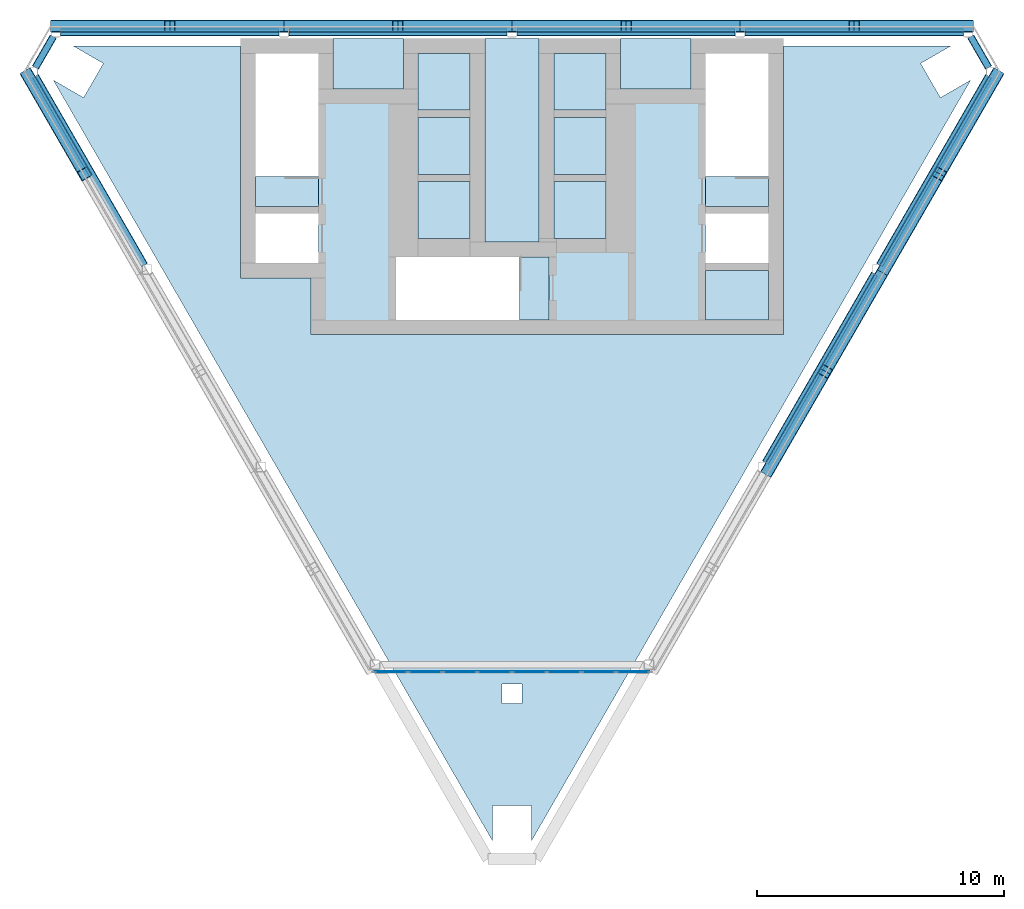
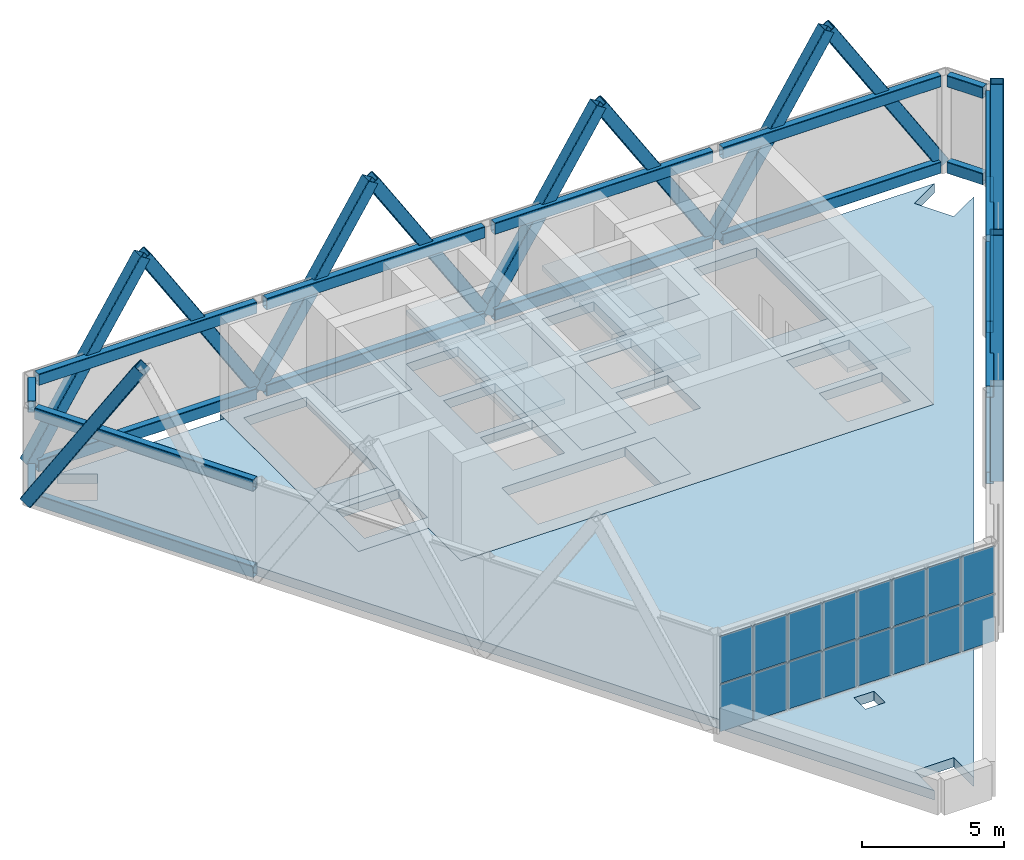
# One storey, part 3 of 5: 18 beams, 16 plates, 15 slabs, 13 members, 1 element without a shape of its own.
"""IFC4 building model written with IfcOpenShell, lengths in metres."""

from ifc_helpers import new_model, si_unit, direction, frame, origin, origin_2d, place, context, subcontext, project, spatial, polyline, rectangle, hollow_rectangle, outline, extrude, material, layer, layer_set, material_profile, profile_set, type_object, element, aggregate, save


model = new_model("IFC4")

# Units and contexts
model_context = context("Model", 3, precision=1e-05, world=origin(), true_north=direction((0.0, 1.0)))
body_context = subcontext(model_context, "Body", "Model", "MODEL_VIEW")
ifc_project = project(units=[si_unit("LENGTHUNIT", "METRE"), si_unit("AREAUNIT", "SQUARE_METRE"), si_unit("VOLUMEUNIT", "CUBIC_METRE"), si_unit("PLANEANGLEUNIT", "RADIAN"), si_unit("MASSUNIT", "GRAM", prefix="KILO")], contexts=[model_context])

# Site, building, storey
site_placement = place(None, origin())
site = spatial("IfcSite", under=ifc_project, at=site_placement, CompositionType="ELEMENT")
building_placement = place(site_placement, origin())
building = spatial("IfcBuilding", under=site, at=building_placement, Name="Aloe Facet Convention Tower", CompositionType="ELEMENT")
storey_placement = place(building_placement, frame((0.0, 0.0, 285.5)))
storey = spatial("IfcBuildingStorey", under=building, at=storey_placement, Name="C1", CompositionType="ELEMENT", Elevation=285.5)

# Members
ifc_material_1 = material(Name="Steel S355, bronze oxide finish", Category="steel")
ifc_material_profile_1 = material_profile(ifc_material_1, hollow_rectangle(XDim=0.5, YDim=0.5, WallThickness=0.02490234375, InnerFilletRadius=0.02490234375, OuterFilletRadius=0.050048828125, at=origin_2d()), Name="SHS 500x500x25")
ifc_profile_set_1 = profile_set([ifc_material_profile_1], Name="Steel S355, bronze oxide finish")
member_type = type_object("IfcMemberType", Name="STW-CROWN FRAME BRACE", PredefinedType="BRACE", material=ifc_profile_set_1)
for number, where, z_axis, x_axis, name in (
    (1, (98.486083984375, 135.050048828125, 0.25), (-0.534904849876, 0.0, 0.844912304076), (0.0, -1.0, 0.0), "Crown frame brace CF-B-B01-N1"),
    (2, (89.2431640625, 135.050048828125, 0.25), (0.534884677408, 0.0, 0.84492507471), (0.0, 1.0, 0.0), "Crown frame brace CF-B-B01-N2"),
    (3, (89.2431640625, 135.050048828125, 0.25), (-0.534904849876, 0.0, 0.844912304076), (0.0, -1.0, 0.0), "Crown frame brace CF-B-B02-N1"),
    (4, (80.0, 135.050048828125, 0.25), (0.534904849876, 0.0, 0.844912304076), (0.0, 1.0, 0.0), "Crown frame brace CF-B-B02-N2"),
    (5, (80.0, 135.050048828125, 0.25), (-0.534904849876, 0.0, 0.844912304076), (0.0, -1.0, 0.0), "Crown frame brace CF-B-B03-N1"),
    (6, (70.7568359375, 135.050048828125, 0.25), (0.534904849876, 0.0, 0.844912304076), (0.0, 1.0, 0.0), "Crown frame brace CF-B-B03-N2"),
    (7, (70.7568359375, 135.050048828125, 0.25), (-0.534884677408, 0.0, 0.84492507471), (0.0, -1.0, 0.0), "Crown frame brace CF-B-B04-N1"),
    (8, (61.513916015625, 135.050048828125, 0.25), (0.534904849876, 0.0, 0.844912304076), (0.0, 1.0, 0.0), "Crown frame brace CF-B-B04-N2"),
):
    element("IfcMember", number, at=place(storey_placement, frame(where, z_axis=z_axis, x_axis=x_axis)), inside=storey, type_object=member_type, Name=name, PredefinedType="BRACE", context=body_context, shape_type="SweptSolid", body=[
        extrude(hollow_rectangle(XDim=0.5, YDim=0.5, WallThickness=0.02490234375, InnerFilletRadius=0.02490234375, OuterFilletRadius=0.050048828125, at=origin_2d()), origin(), (0.0, 0.0, 1.0), 8.639892578125),
    ])
for number, where, z_axis, x_axis, name in (
    (9, (60.37060546875, 133.06982421875, 0.25), (0.26745193794, -0.463244275815, 0.844910765594), (0.866027240882, 0.49999681804, 0.0), "Crown frame brace CF-B-B06-N1"),
    (10, (90.386474609375, 117.060302734375, 0.25), (0.26745193794, 0.463244275815, 0.844910765594), (-0.866027240882, 0.49999681804, 0.0), "Crown frame brace CF-B-B11-N1"),
):
    element("IfcMember", number, at=place(storey_placement, frame(where, z_axis=z_axis, x_axis=x_axis)), inside=storey, type_object=member_type, Name=name, PredefinedType="BRACE", context=body_context, shape_type="SweptSolid", body=[
        extrude(hollow_rectangle(XDim=0.5, YDim=0.5, WallThickness=0.02490234375, InnerFilletRadius=0.02490234375, OuterFilletRadius=0.050048828125, at=origin_2d()), origin(), (0.0, 0.0, 1.0), 8.64013671875),
    ])
member_placement = place(storey_placement, frame((95.0078125, 125.06494140625, 0.25), z_axis=(-0.267429202518, -0.463225582933, 0.844928210534), x_axis=(0.866036909293, -0.499980071345, 0.0)))
element("IfcMember", 11, at=member_placement, inside=storey, type_object=member_type, Name="Crown frame brace CF-B-B11-N2", PredefinedType="BRACE", context=body_context, shape_type="SweptSolid", body=[
    extrude(hollow_rectangle(XDim=0.5, YDim=0.5, WallThickness=0.02490234375, InnerFilletRadius=0.02490234375, OuterFilletRadius=0.050048828125, at=origin_2d()), origin(), (0.0, 0.0, 1.0), 8.639892578125),
])
for number, where, z_axis, x_axis, name in (
    (12, (95.0078125, 125.06494140625, 0.25), (0.26745193794, 0.463244275815, 0.844910765594), (-0.866027240882, 0.49999681804, 0.0), "Crown frame brace CF-B-B12-N1"),
    (13, (99.62939453125, 133.06982421875, 0.25), (-0.26745193794, -0.463244275815, 0.844910765594), (0.866027240882, -0.49999681804, 0.0), "Crown frame brace CF-B-B12-N2"),
):
    element("IfcMember", number, at=place(storey_placement, frame(where, z_axis=z_axis, x_axis=x_axis)), inside=storey, type_object=member_type, Name=name, PredefinedType="BRACE", context=body_context, shape_type="SweptSolid", body=[
        extrude(hollow_rectangle(XDim=0.5, YDim=0.5, WallThickness=0.02490234375, InnerFilletRadius=0.02490234375, OuterFilletRadius=0.050048828125, at=origin_2d()), origin(), (0.0, 0.0, 1.0), 8.64013671875),
    ])

# Beams
ifc_material_2 = material(Name="Steel S355, bronze oxide finish", Category="steel")
ifc_material_profile_2 = material_profile(ifc_material_2, hollow_rectangle(XDim=0.300048828125, YDim=0.5, WallThickness=0.02001953125, InnerFilletRadius=0.02001953125, OuterFilletRadius=0.0400390625, at=origin_2d()), Name="RHS 500x300x20")
ifc_profile_set_2 = profile_set([ifc_material_profile_2], Name="Steel S355, bronze oxide finish")
beam_type = type_object("IfcBeamType", Name="STW-CROWN FRAME RING", PredefinedType="BEAM", material=ifc_profile_set_2)
for number, where, z_axis, x_axis, name in (
    (14, (98.2861328125, 134.800048828125, 0.25), (-1.0, 0.0, 0.0), (0.0, -1.0, 0.0), "Crown frame ring CF-R-B01-C1"),
    (15, (98.2861328125, 134.800048828125, 3.949951171875), (-1.0, 0.0, 0.0), (0.0, -1.0, 0.0), "Crown frame ring CF-R-B01-C2"),
    (16, (89.04296875, 134.800048828125, 0.25), (-1.0, 0.0, 0.0), (0.0, -1.0, 0.0), "Crown frame ring CF-R-B02-C1"),
    (17, (89.04296875, 134.800048828125, 3.949951171875), (-1.0, 0.0, 0.0), (0.0, -1.0, 0.0), "Crown frame ring CF-R-B02-C2"),
    (18, (79.800048828125, 134.800048828125, 0.25), (-1.0, 0.0, 0.0), (0.0, -1.0, 0.0), "Crown frame ring CF-R-B03-C1"),
    (19, (79.800048828125, 134.800048828125, 3.949951171875), (-1.0, 0.0, 0.0), (0.0, -1.0, 0.0), "Crown frame ring CF-R-B03-C2"),
    (20, (70.556884765625, 134.800048828125, 0.25), (-1.0, 0.0, 0.0), (0.0, -1.0, 0.0), "Crown frame ring CF-R-B04-C1"),
    (21, (70.556884765625, 134.800048828125, 3.949951171875), (-1.0, 0.0, 0.0), (0.0, -1.0, 0.0), "Crown frame ring CF-R-B04-C2"),
):
    element("IfcBeam", number, at=place(storey_placement, frame(where, z_axis=z_axis, x_axis=x_axis)), inside=storey, type_object=beam_type, Name=name, PredefinedType="BEAM", context=body_context, shape_type="SweptSolid", body=[
        extrude(hollow_rectangle(XDim=0.300048828125, YDim=0.5, WallThickness=0.02001953125, InnerFilletRadius=0.02001953125, OuterFilletRadius=0.0400390625, at=origin_2d()), origin(), (0.0, 0.0, 1.0), 8.843017578125),
    ])
for number, where, z_axis, x_axis, name in (
    (22, (61.413818359375, 134.626708984375, 0.25), (-0.500022928159, -0.866012165801, 0.0), (0.866012165801, -0.500022928159, 0.0), "Crown frame ring CF-R-B05-C1"),
    (23, (61.413818359375, 134.626708984375, 3.949951171875), (-0.500022928159, -0.866012165801, 0.0), (0.866012165801, -0.500022928159, 0.0), "Crown frame ring CF-R-B05-C2"),
):
    element("IfcBeam", number, at=place(storey_placement, frame(where, z_axis=z_axis, x_axis=x_axis)), inside=storey, type_object=beam_type, Name=name, PredefinedType="BEAM", context=body_context, shape_type="SweptSolid", body=[
        extrude(hollow_rectangle(XDim=0.300048828125, YDim=0.5, WallThickness=0.02001953125, InnerFilletRadius=0.02001953125, OuterFilletRadius=0.0400390625, at=origin_2d()), origin(), (0.0, 0.0, 1.0), 1.45361328125),
    ])
for number, where, z_axis, x_axis, name in (
    (24, (60.68701171875, 133.021484375, 0.25), (0.500014013, -0.866017313224, 0.0), (0.866017313224, 0.500014013, 0.0), "Crown frame ring CF-R-B06-C1"),
    (25, (60.68701171875, 133.021484375, 3.949951171875), (0.500014013, -0.866017313224, 0.0), (0.866017313224, 0.500014013, 0.0), "Crown frame ring CF-R-B06-C2"),
):
    element("IfcBeam", number, at=place(storey_placement, frame(where, z_axis=z_axis, x_axis=x_axis)), inside=storey, type_object=beam_type, Name=name, PredefinedType="BEAM", context=body_context, shape_type="SweptSolid", body=[
        extrude(hollow_rectangle(XDim=0.300048828125, YDim=0.5, WallThickness=0.02001953125, InnerFilletRadius=0.02001953125, OuterFilletRadius=0.0400390625, at=origin_2d()), origin(), (0.0, 0.0, 1.0), 8.843017578125),
    ])
for number, where, z_axis, x_axis, name in (
    (26, (90.269775390625, 117.3583984375, 0.25), (0.500002058268, 0.866024215439, 0.0), (-0.866024215439, 0.500002058268, 0.0), "Crown frame ring CF-R-B11-C1"),
    (27, (90.269775390625, 117.3583984375, 3.949951171875), (0.500002058268, 0.866024215439, 0.0), (-0.866024215439, 0.500002058268, 0.0), "Crown frame ring CF-R-B11-C2"),
):
    element("IfcBeam", number, at=place(storey_placement, frame(where, z_axis=z_axis, x_axis=x_axis)), inside=storey, type_object=beam_type, Name=name, PredefinedType="BEAM", context=body_context, shape_type="SweptSolid", body=[
        extrude(hollow_rectangle(XDim=0.300048828125, YDim=0.5, WallThickness=0.02001953125, InnerFilletRadius=0.02001953125, OuterFilletRadius=0.0400390625, at=origin_2d()), origin(), (0.0, 0.0, 1.0), 8.84326171875),
    ])
for number, where, z_axis, x_axis, name in (
    (28, (94.891357421875, 125.36328125, 0.25), (0.500014013, 0.866017313224, 0.0), (-0.866017313224, 0.500014013, 0.0), "Crown frame ring CF-R-B12-C1"),
    (29, (94.891357421875, 125.36328125, 3.949951171875), (0.500014013, 0.866017313224, 0.0), (-0.866017313224, 0.500014013, 0.0), "Crown frame ring CF-R-B12-C2"),
):
    element("IfcBeam", number, at=place(storey_placement, frame(where, z_axis=z_axis, x_axis=x_axis)), inside=storey, type_object=beam_type, Name=name, PredefinedType="BEAM", context=body_context, shape_type="SweptSolid", body=[
        extrude(hollow_rectangle(XDim=0.300048828125, YDim=0.5, WallThickness=0.02001953125, InnerFilletRadius=0.02001953125, OuterFilletRadius=0.0400390625, at=origin_2d()), origin(), (0.0, 0.0, 1.0), 8.843017578125),
    ])
for number, where, z_axis, x_axis, name in (
    (30, (99.31298828125, 133.367919921875, 0.25), (-0.500022928159, 0.866012165801, 0.0), (-0.866012165801, -0.500022928159, 0.0), "Crown frame ring CF-R-B13-C1"),
    (31, (99.31298828125, 133.367919921875, 3.949951171875), (-0.500022928159, 0.866012165801, 0.0), (-0.866012165801, -0.500022928159, 0.0), "Crown frame ring CF-R-B13-C2"),
):
    element("IfcBeam", number, at=place(storey_placement, frame(where, z_axis=z_axis, x_axis=x_axis)), inside=storey, type_object=beam_type, Name=name, PredefinedType="BEAM", context=body_context, shape_type="SweptSolid", body=[
        extrude(hollow_rectangle(XDim=0.300048828125, YDim=0.5, WallThickness=0.02001953125, InnerFilletRadius=0.02001953125, OuterFilletRadius=0.0400390625, at=origin_2d()), origin(), (0.0, 0.0, 1.0), 1.45361328125),
    ])

# Slabs
ifc_material_3 = material(Name="Concrete C50/60", Category="concrete")
ifc_layer_1 = layer(ifc_material_3, 0.39990234375)
ifc_layer_set_1 = layer_set([ifc_layer_1], Name="CR-S-FLOOR400-C5060")
slab_type_1 = type_object("IfcSlabType", Name="CR-S-FLOOR400-C5060", PredefinedType="FLOOR", material=ifc_layer_set_1)
slab_1_placement = place(storey_placement, frame((0.0, 0.0, -0.39990234375)))
element("IfcSlab", 32, at=slab_1_placement, inside=storey, type_object=slab_type_1, Name="Stair landing floor C1", PredefinedType="FLOOR", context=body_context, shape_type="SweptSolid", body=[
    extrude(outline(polyline([(72.14990234375, 127.75), (72.14990234375, 128.951171875), (69.60009765625, 128.951171875), (69.60009765625, 127.75), (72.14990234375, 127.75)])), origin(), (0.0, 0.0, 1.0), 0.39990234375),
])
slab_2_placement = place(storey_placement, frame((0.0, 0.0, -0.39990234375)))
element("IfcSlab", 33, at=slab_2_placement, inside=storey, type_object=slab_type_1, Name="Stair landing floor C1", PredefinedType="FLOOR", context=body_context, shape_type="SweptSolid", body=[
    extrude(outline(polyline([(90.39990234375, 127.75), (90.39990234375, 128.951171875), (87.85009765625, 128.951171875), (87.85009765625, 127.75), (90.39990234375, 127.75)])), origin(), (0.0, 0.0, 1.0), 0.39990234375),
])
slab_3_placement = place(storey_placement, frame((0.0, 0.0, -0.39990234375)))
element("IfcSlab", 34, at=slab_3_placement, inside=storey, type_object=slab_type_1, Name="Stair landing floor C1", PredefinedType="FLOOR", context=body_context, shape_type="SweptSolid", body=[
    extrude(outline(polyline([(81.5, 125.699951171875), (80.298828125, 125.699951171875), (80.298828125, 123.14990234375), (81.5, 123.14990234375), (81.5, 125.699951171875)])), origin(), (0.0, 0.0, 1.0), 0.39990234375),
])
slab_4_placement = place(storey_placement, frame((0.0, 0.0, -0.39990234375)))
element("IfcSlab", 35, at=slab_4_placement, inside=storey, type_object=slab_type_1, Name="Core floor C1", PredefinedType="FLOOR", context=body_context, shape_type="SweptSolid", body=[
    extrude(outline(polyline([(87.25, 134.550048828125), (91.0, 134.550048828125), (91.0, 128.050048828125), (91.0, 127.14990234375), (91.0, 125.75), (91.0, 124.85009765625), (91.0, 122.550048828125), (88.14990234375, 122.550048828125), (87.25, 122.550048828125), (85.300048828125, 122.550048828125), (84.39990234375, 122.550048828125), (82.10009765625, 122.550048828125), (81.199951171875, 122.550048828125), (75.60009765625, 122.550048828125), (74.699951171875, 122.550048828125), (71.85009765625, 122.550048828125), (71.85009765625, 124.85009765625), (69.0, 124.85009765625), (69.0, 127.14990234375), (69.0, 128.050048828125), (69.0, 134.550048828125), (72.75, 134.550048828125), (72.75, 132.5), (75.60009765625, 132.5), (75.60009765625, 134.550048828125), (78.89990234375, 134.550048828125), (78.89990234375, 131.949951171875), (78.89990234375, 131.050048828125), (78.89990234375, 129.35009765625), (78.89990234375, 128.449951171875), (78.89990234375, 126.300048828125), (81.10009765625, 126.300048828125), (81.10009765625, 128.449951171875), (81.10009765625, 129.35009765625), (81.10009765625, 131.050048828125), (81.10009765625, 131.949951171875), (81.10009765625, 134.550048828125), (84.39990234375, 134.550048828125), (84.39990234375, 132.5), (87.25, 132.5), (87.25, 134.550048828125)]), holes=[polyline([(80.298828125, 123.14990234375), (81.5, 123.14990234375), (81.5, 125.699951171875), (80.298828125, 125.699951171875), (75.300048828125, 125.699951171875), (75.300048828125, 123.14990234375), (80.298828125, 123.14990234375)]), polyline([(69.60009765625, 125.449951171875), (72.14990234375, 125.449951171875), (72.14990234375, 127.449951171875), (69.60009765625, 127.449951171875), (69.60009765625, 125.449951171875)]), polyline([(76.199951171875, 126.449951171875), (78.300048828125, 126.449951171875), (78.300048828125, 128.75), (76.199951171875, 128.75), (76.199951171875, 126.449951171875)]), polyline([(78.300048828125, 129.050048828125), (78.300048828125, 131.35009765625), (76.199951171875, 131.35009765625), (76.199951171875, 129.050048828125), (78.300048828125, 129.050048828125)]), polyline([(69.60009765625, 133.949951171875), (69.60009765625, 128.951171875), (69.60009765625, 127.75), (72.14990234375, 127.75), (72.14990234375, 128.951171875), (72.14990234375, 133.949951171875), (69.60009765625, 133.949951171875)]), polyline([(76.199951171875, 131.64990234375), (78.300048828125, 131.64990234375), (78.300048828125, 133.949951171875), (76.199951171875, 133.949951171875), (76.199951171875, 131.64990234375)]), polyline([(90.39990234375, 123.14990234375), (90.39990234375, 125.14990234375), (87.85009765625, 125.14990234375), (87.85009765625, 123.14990234375), (90.39990234375, 123.14990234375)]), polyline([(87.85009765625, 125.449951171875), (90.39990234375, 125.449951171875), (90.39990234375, 127.449951171875), (87.85009765625, 127.449951171875), (87.85009765625, 125.449951171875)]), polyline([(81.699951171875, 126.449951171875), (83.800048828125, 126.449951171875), (83.800048828125, 128.75), (81.699951171875, 128.75), (81.699951171875, 126.449951171875)]), polyline([(83.800048828125, 129.050048828125), (83.800048828125, 131.35009765625), (81.699951171875, 131.35009765625), (81.699951171875, 129.050048828125), (83.800048828125, 129.050048828125)]), polyline([(87.85009765625, 133.949951171875), (87.85009765625, 128.951171875), (87.85009765625, 127.75), (90.39990234375, 127.75), (90.39990234375, 128.951171875), (90.39990234375, 133.949951171875), (87.85009765625, 133.949951171875)]), polyline([(81.699951171875, 131.64990234375), (83.800048828125, 131.64990234375), (83.800048828125, 133.949951171875), (81.699951171875, 133.949951171875), (81.699951171875, 131.64990234375)])]), origin(), (0.0, 0.0, 1.0), 0.39990234375),
])
ifc_material_4 = material(Name="Concrete C50/60", Category="concrete")
ifc_layer_2 = layer(ifc_material_4, 0.199951171875)
ifc_layer_set_2 = layer_set([ifc_layer_2], Name="CR-S-LID200-C5060")
slab_type_2 = type_object("IfcSlabType", Name="CR-S-LID200-C5060", PredefinedType="ROOF", material=ifc_layer_set_2)
slab_5_placement = place(storey_placement, frame((0.0, 0.0, 2.10009765625)))
element("IfcSlab", 36, at=slab_5_placement, inside=storey, type_object=slab_type_2, Name="Lift shaft lid SV1", PredefinedType="ROOF", context=body_context, shape_type="SweptSolid", body=[
    extrude(outline(polyline([(90.401123046875, 125.151123046875), (90.401123046875, 123.148681640625), (87.848876953125, 123.148681640625), (87.848876953125, 125.151123046875), (90.401123046875, 125.151123046875)])), origin(), (0.0, 0.0, 1.0), 0.199951171875),
])
slab_6_placement = place(storey_placement, frame((0.0, 0.0, 2.10009765625)))
element("IfcSlab", 37, at=slab_6_placement, inside=storey, type_object=slab_type_2, Name="Lift shaft lid B1", PredefinedType="ROOF", context=body_context, shape_type="SweptSolid", body=[
    extrude(outline(polyline([(78.30126953125, 133.951171875), (78.30126953125, 131.648681640625), (76.19873046875, 131.648681640625), (76.19873046875, 133.951171875), (78.30126953125, 133.951171875)])), origin(), (0.0, 0.0, 1.0), 0.199951171875),
])
slab_7_placement = place(storey_placement, frame((0.0, 0.0, 2.10009765625)))
element("IfcSlab", 38, at=slab_7_placement, inside=storey, type_object=slab_type_2, Name="Lift shaft lid B2", PredefinedType="ROOF", context=body_context, shape_type="SweptSolid", body=[
    extrude(outline(polyline([(78.30126953125, 131.351318359375), (78.30126953125, 129.048828125), (76.19873046875, 129.048828125), (76.19873046875, 131.351318359375), (78.30126953125, 131.351318359375)])), origin(), (0.0, 0.0, 1.0), 0.199951171875),
])
slab_8_placement = place(storey_placement, frame((0.0, 0.0, 2.10009765625)))
element("IfcSlab", 39, at=slab_8_placement, inside=storey, type_object=slab_type_2, Name="Lift shaft lid B3", PredefinedType="ROOF", context=body_context, shape_type="SweptSolid", body=[
    extrude(outline(polyline([(78.30126953125, 128.751220703125), (78.30126953125, 126.44873046875), (76.19873046875, 126.44873046875), (76.19873046875, 128.751220703125), (78.30126953125, 128.751220703125)])), origin(), (0.0, 0.0, 1.0), 0.199951171875),
])
slab_9_placement = place(storey_placement, frame((0.0, 0.0, 2.10009765625)))
element("IfcSlab", 40, at=slab_9_placement, inside=storey, type_object=slab_type_2, Name="Lift shaft lid B4", PredefinedType="ROOF", context=body_context, shape_type="SweptSolid", body=[
    extrude(outline(polyline([(83.80126953125, 133.951171875), (83.80126953125, 131.648681640625), (81.69873046875, 131.648681640625), (81.69873046875, 133.951171875), (83.80126953125, 133.951171875)])), origin(), (0.0, 0.0, 1.0), 0.199951171875),
])
slab_10_placement = place(storey_placement, frame((0.0, 0.0, 2.10009765625)))
element("IfcSlab", 41, at=slab_10_placement, inside=storey, type_object=slab_type_2, Name="Lift shaft lid B5", PredefinedType="ROOF", context=body_context, shape_type="SweptSolid", body=[
    extrude(outline(polyline([(83.80126953125, 131.351318359375), (83.80126953125, 129.048828125), (81.69873046875, 129.048828125), (81.69873046875, 131.351318359375), (83.80126953125, 131.351318359375)])), origin(), (0.0, 0.0, 1.0), 0.199951171875),
])
slab_11_placement = place(storey_placement, frame((0.0, 0.0, 2.10009765625)))
element("IfcSlab", 42, at=slab_11_placement, inside=storey, type_object=slab_type_2, Name="Lift shaft lid B6", PredefinedType="ROOF", context=body_context, shape_type="SweptSolid", body=[
    extrude(outline(polyline([(83.80126953125, 128.751220703125), (83.80126953125, 126.44873046875), (81.69873046875, 126.44873046875), (81.69873046875, 128.751220703125), (83.80126953125, 128.751220703125)])), origin(), (0.0, 0.0, 1.0), 0.199951171875),
])

# Curtain wall, plates
ifc_material_5 = material(Name="Aluminium, anodised", Category="aluminium")
curtain_wall_type = type_object("IfcCurtainWallType", Name="EV-CW-CROWN", PredefinedType="USERDEFINED", material=ifc_material_5)
curtain_wall_placement = place(storey_placement, origin())
curtain_wall = element("IfcCurtainWall", 43, at=curtain_wall_placement, inside=storey, type_object=curtain_wall_type, Name="CW-C1-Z09", ObjectType="CROWN SCREEN GLAZING", PredefinedType="USERDEFINED")
ifc_material_6 = material(Name="Clear double glazing", Category="glass")
ifc_layer_3 = layer(ifc_material_6, 0.031982421875)
ifc_layer_set_3 = layer_set([ifc_layer_3], Name="EV-PANEL-CROWN")
plate_type = type_object("IfcPlateType", Name="EV-PANEL-CROWN", PredefinedType="CURTAIN_PANEL", material=ifc_layer_set_3)
plate_1_placement = place(storey_placement, frame((75.090087890625, 108.890625, 0.06005859375), z_axis=(0.0, 0.0, 1.0), x_axis=(1.0, 0.0, 0.0)))
plate_1 = element("IfcPlate", 44, at=plate_1_placement, type_object=plate_type, Name="CW-C1-Z09 panel 1.1", PredefinedType="CURTAIN_PANEL", context=body_context, shape_type="SweptSolid", body=[
    extrude(rectangle(XDim=1.317138671875, YDim=0.031982421875, at=origin_2d()), origin(), (0.0, 0.0, 1.0), 2.010009765625),
])
plate_2_placement = place(storey_placement, frame((75.090087890625, 108.890625, 2.1298828125), z_axis=(0.0, 0.0, 1.0), x_axis=(1.0, 0.0, 0.0)))
plate_2 = element("IfcPlate", 45, at=plate_2_placement, type_object=plate_type, Name="CW-C1-Z09 panel 1.2", PredefinedType="CURTAIN_PANEL", context=body_context, shape_type="SweptSolid", body=[
    extrude(rectangle(XDim=1.317138671875, YDim=0.031982421875, at=origin_2d()), origin(), (0.0, 0.0, 1.0), 2.010009765625),
])
plate_3_placement = place(storey_placement, frame((76.482177734375, 108.890625, 0.06005859375), z_axis=(0.0, 0.0, 1.0), x_axis=(1.0, 0.0, 0.0)))
plate_3 = element("IfcPlate", 46, at=plate_3_placement, type_object=plate_type, Name="CW-C1-Z09 panel 2.1", PredefinedType="CURTAIN_PANEL", context=body_context, shape_type="SweptSolid", body=[
    extrude(rectangle(XDim=1.34716796875, YDim=0.031982421875, at=origin_2d()), origin(), (0.0, 0.0, 1.0), 2.010009765625),
])
plate_4_placement = place(storey_placement, frame((76.482177734375, 108.890625, 2.1298828125), z_axis=(0.0, 0.0, 1.0), x_axis=(1.0, 0.0, 0.0)))
plate_4 = element("IfcPlate", 47, at=plate_4_placement, type_object=plate_type, Name="CW-C1-Z09 panel 2.2", PredefinedType="CURTAIN_PANEL", context=body_context, shape_type="SweptSolid", body=[
    extrude(rectangle(XDim=1.34716796875, YDim=0.031982421875, at=origin_2d()), origin(), (0.0, 0.0, 1.0), 2.010009765625),
])
plate_5_placement = place(storey_placement, frame((77.889404296875, 108.890625, 0.06005859375), z_axis=(0.0, 0.0, 1.0), x_axis=(1.0, 0.0, 0.0)))
plate_5 = element("IfcPlate", 48, at=plate_5_placement, type_object=plate_type, Name="CW-C1-Z09 panel 3.1", PredefinedType="CURTAIN_PANEL", context=body_context, shape_type="SweptSolid", body=[
    extrude(rectangle(XDim=1.34716796875, YDim=0.031982421875, at=origin_2d()), origin(), (0.0, 0.0, 1.0), 2.010009765625),
])
plate_6_placement = place(storey_placement, frame((77.889404296875, 108.890625, 2.1298828125), z_axis=(0.0, 0.0, 1.0), x_axis=(1.0, 0.0, 0.0)))
plate_6 = element("IfcPlate", 49, at=plate_6_placement, type_object=plate_type, Name="CW-C1-Z09 panel 3.2", PredefinedType="CURTAIN_PANEL", context=body_context, shape_type="SweptSolid", body=[
    extrude(rectangle(XDim=1.34716796875, YDim=0.031982421875, at=origin_2d()), origin(), (0.0, 0.0, 1.0), 2.010009765625),
])
plate_7_placement = place(storey_placement, frame((79.29638671875, 108.890625, 0.06005859375), z_axis=(0.0, 0.0, 1.0), x_axis=(1.0, 0.0, 0.0)))
plate_7 = element("IfcPlate", 50, at=plate_7_placement, type_object=plate_type, Name="CW-C1-Z09 panel 4.1", PredefinedType="CURTAIN_PANEL", context=body_context, shape_type="SweptSolid", body=[
    extrude(rectangle(XDim=1.34716796875, YDim=0.031982421875, at=origin_2d()), origin(), (0.0, 0.0, 1.0), 2.010009765625),
])
plate_8_placement = place(storey_placement, frame((79.29638671875, 108.890625, 2.1298828125), z_axis=(0.0, 0.0, 1.0), x_axis=(1.0, 0.0, 0.0)))
plate_8 = element("IfcPlate", 51, at=plate_8_placement, type_object=plate_type, Name="CW-C1-Z09 panel 4.2", PredefinedType="CURTAIN_PANEL", context=body_context, shape_type="SweptSolid", body=[
    extrude(rectangle(XDim=1.34716796875, YDim=0.031982421875, at=origin_2d()), origin(), (0.0, 0.0, 1.0), 2.010009765625),
])
plate_9_placement = place(storey_placement, frame((80.70361328125, 108.890625, 0.06005859375), z_axis=(0.0, 0.0, 1.0), x_axis=(1.0, 0.0, 0.0)))
plate_9 = element("IfcPlate", 52, at=plate_9_placement, type_object=plate_type, Name="CW-C1-Z09 panel 5.1", PredefinedType="CURTAIN_PANEL", context=body_context, shape_type="SweptSolid", body=[
    extrude(rectangle(XDim=1.34716796875, YDim=0.031982421875, at=origin_2d()), origin(), (0.0, 0.0, 1.0), 2.010009765625),
])
plate_10_placement = place(storey_placement, frame((80.70361328125, 108.890625, 2.1298828125), z_axis=(0.0, 0.0, 1.0), x_axis=(1.0, 0.0, 0.0)))
plate_10 = element("IfcPlate", 53, at=plate_10_placement, type_object=plate_type, Name="CW-C1-Z09 panel 5.2", PredefinedType="CURTAIN_PANEL", context=body_context, shape_type="SweptSolid", body=[
    extrude(rectangle(XDim=1.34716796875, YDim=0.031982421875, at=origin_2d()), origin(), (0.0, 0.0, 1.0), 2.010009765625),
])
plate_11_placement = place(storey_placement, frame((82.110595703125, 108.890625, 0.06005859375), z_axis=(0.0, 0.0, 1.0), x_axis=(1.0, 0.0, 0.0)))
plate_11 = element("IfcPlate", 54, at=plate_11_placement, type_object=plate_type, Name="CW-C1-Z09 panel 6.1", PredefinedType="CURTAIN_PANEL", context=body_context, shape_type="SweptSolid", body=[
    extrude(rectangle(XDim=1.34716796875, YDim=0.031982421875, at=origin_2d()), origin(), (0.0, 0.0, 1.0), 2.010009765625),
])
plate_12_placement = place(storey_placement, frame((82.110595703125, 108.890625, 2.1298828125), z_axis=(0.0, 0.0, 1.0), x_axis=(1.0, 0.0, 0.0)))
plate_12 = element("IfcPlate", 55, at=plate_12_placement, type_object=plate_type, Name="CW-C1-Z09 panel 6.2", PredefinedType="CURTAIN_PANEL", context=body_context, shape_type="SweptSolid", body=[
    extrude(rectangle(XDim=1.34716796875, YDim=0.031982421875, at=origin_2d()), origin(), (0.0, 0.0, 1.0), 2.010009765625),
])
plate_13_placement = place(storey_placement, frame((83.517822265625, 108.890625, 0.06005859375), z_axis=(0.0, 0.0, 1.0), x_axis=(1.0, 0.0, 0.0)))
plate_13 = element("IfcPlate", 56, at=plate_13_placement, type_object=plate_type, Name="CW-C1-Z09 panel 7.1", PredefinedType="CURTAIN_PANEL", context=body_context, shape_type="SweptSolid", body=[
    extrude(rectangle(XDim=1.34716796875, YDim=0.031982421875, at=origin_2d()), origin(), (0.0, 0.0, 1.0), 2.010009765625),
])
plate_14_placement = place(storey_placement, frame((83.517822265625, 108.890625, 2.1298828125), z_axis=(0.0, 0.0, 1.0), x_axis=(1.0, 0.0, 0.0)))
plate_14 = element("IfcPlate", 57, at=plate_14_placement, type_object=plate_type, Name="CW-C1-Z09 panel 7.2", PredefinedType="CURTAIN_PANEL", context=body_context, shape_type="SweptSolid", body=[
    extrude(rectangle(XDim=1.34716796875, YDim=0.031982421875, at=origin_2d()), origin(), (0.0, 0.0, 1.0), 2.010009765625),
])
plate_15_placement = place(storey_placement, frame((84.909912109375, 108.890625, 0.06005859375), z_axis=(0.0, 0.0, 1.0), x_axis=(1.0, 0.0, 0.0)))
plate_15 = element("IfcPlate", 58, at=plate_15_placement, type_object=plate_type, Name="CW-C1-Z09 panel 8.1", PredefinedType="CURTAIN_PANEL", context=body_context, shape_type="SweptSolid", body=[
    extrude(rectangle(XDim=1.317138671875, YDim=0.031982421875, at=origin_2d()), origin(), (0.0, 0.0, 1.0), 2.010009765625),
])
plate_16_placement = place(storey_placement, frame((84.909912109375, 108.890625, 2.1298828125), z_axis=(0.0, 0.0, 1.0), x_axis=(1.0, 0.0, 0.0)))
plate_16 = element("IfcPlate", 59, at=plate_16_placement, type_object=plate_type, Name="CW-C1-Z09 panel 8.2", PredefinedType="CURTAIN_PANEL", context=body_context, shape_type="SweptSolid", body=[
    extrude(rectangle(XDim=1.317138671875, YDim=0.031982421875, at=origin_2d()), origin(), (0.0, 0.0, 1.0), 2.010009765625),
])
aggregate(curtain_wall, [plate_1, plate_2, plate_3, plate_4, plate_5, plate_6, plate_7, plate_8, plate_9, plate_10, plate_11, plate_12, plate_13, plate_14, plate_15, plate_16])

# Slabs
ifc_material_7 = material(Name="Concrete C35/45", Category="concrete")
ifc_layer_4 = layer(ifc_material_7, 0.39990234375)
ifc_layer_set_4 = layer_set([ifc_layer_4], Name="SF-RS-400")
slab_type_3 = type_object("IfcSlabType", Name="SF-RS-400", PredefinedType="ROOF", material=ifc_layer_set_4)
slab_12_placement = place(storey_placement, frame((0.0, 0.0, -0.39990234375)))
element("IfcSlab", 60, at=slab_12_placement, inside=storey, type_object=slab_type_3, Name="Floor slab C1-1", PredefinedType="ROOF", context=body_context, shape_type="SweptSolid", body=[
    extrude(outline(polyline([(79.199951171875, 102.05615234375), (61.412841796875, 132.864501953125), (62.642333984375, 132.154541015625), (63.4423828125, 133.540283203125), (62.212890625, 134.25), (69.0, 134.25), (69.0, 128.050048828125), (69.0, 127.14990234375), (69.0, 124.85009765625), (71.85009765625, 124.85009765625), (71.85009765625, 122.550048828125), (74.699951171875, 122.550048828125), (75.60009765625, 122.550048828125), (81.199951171875, 122.550048828125), (82.10009765625, 122.550048828125), (84.39990234375, 122.550048828125), (85.300048828125, 122.550048828125), (87.25, 122.550048828125), (88.14990234375, 122.550048828125), (91.0, 122.550048828125), (91.0, 124.85009765625), (91.0, 125.75), (91.0, 127.14990234375), (91.0, 128.050048828125), (91.0, 134.25), (97.787109375, 134.25), (96.5576171875, 133.540283203125), (97.357666015625, 132.154541015625), (98.587158203125, 132.864501953125), (80.800048828125, 102.05615234375), (80.800048828125, 103.475830078125), (79.199951171875, 103.475830078125), (79.199951171875, 102.05615234375)]), holes=[polyline([(79.60009765625, 108.39990234375), (79.60009765625, 107.60009765625), (80.39990234375, 107.60009765625), (80.39990234375, 108.39990234375), (79.60009765625, 108.39990234375)])]), origin(), (0.0, 0.0, 1.0), 0.39990234375),
])
slab_13_placement = place(storey_placement, frame((0.0, 0.0, -0.39990234375)))
element("IfcSlab", 61, at=slab_13_placement, inside=storey, type_object=slab_type_3, Name="Floor slab C1-2", PredefinedType="ROOF", context=body_context, shape_type="SweptSolid", body=[
    extrude(outline(polyline([(81.10009765625, 128.449951171875), (81.10009765625, 126.300048828125), (78.89990234375, 126.300048828125), (78.89990234375, 128.449951171875), (78.89990234375, 129.35009765625), (78.89990234375, 131.050048828125), (78.89990234375, 131.949951171875), (78.89990234375, 134.25), (78.89990234375, 134.550048828125), (81.10009765625, 134.550048828125), (81.10009765625, 134.25), (81.10009765625, 131.949951171875), (81.10009765625, 131.050048828125), (81.10009765625, 129.35009765625), (81.10009765625, 128.449951171875)])), origin(), (0.0, 0.0, 1.0), 0.39990234375),
])
slab_14_placement = place(storey_placement, frame((0.0, 0.0, -0.39990234375)))
element("IfcSlab", 62, at=slab_14_placement, inside=storey, type_object=slab_type_3, Name="Floor slab C1-3", PredefinedType="ROOF", context=body_context, shape_type="SweptSolid", body=[
    extrude(outline(polyline([(72.75, 134.550048828125), (75.60009765625, 134.550048828125), (75.60009765625, 134.25), (75.60009765625, 132.5), (72.75, 132.5), (72.75, 134.25), (72.75, 134.550048828125)])), origin(), (0.0, 0.0, 1.0), 0.39990234375),
])
slab_15_placement = place(storey_placement, frame((0.0, 0.0, -0.39990234375)))
element("IfcSlab", 63, at=slab_15_placement, inside=storey, type_object=slab_type_3, Name="Floor slab C1-4", PredefinedType="ROOF", context=body_context, shape_type="SweptSolid", body=[
    extrude(outline(polyline([(84.39990234375, 134.550048828125), (87.25, 134.550048828125), (87.25, 134.25), (87.25, 132.5), (84.39990234375, 132.5), (84.39990234375, 134.25), (84.39990234375, 134.550048828125)])), origin(), (0.0, 0.0, 1.0), 0.39990234375),
])

save(model, "model.ifc")
